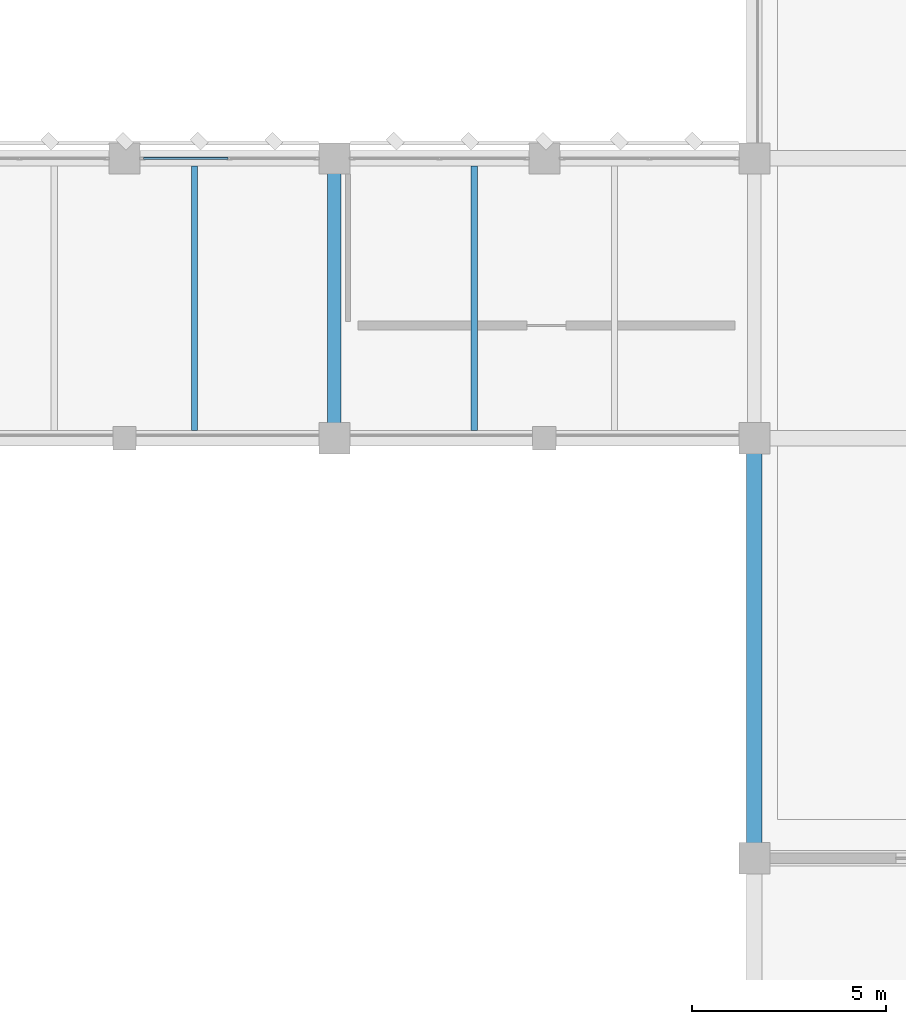
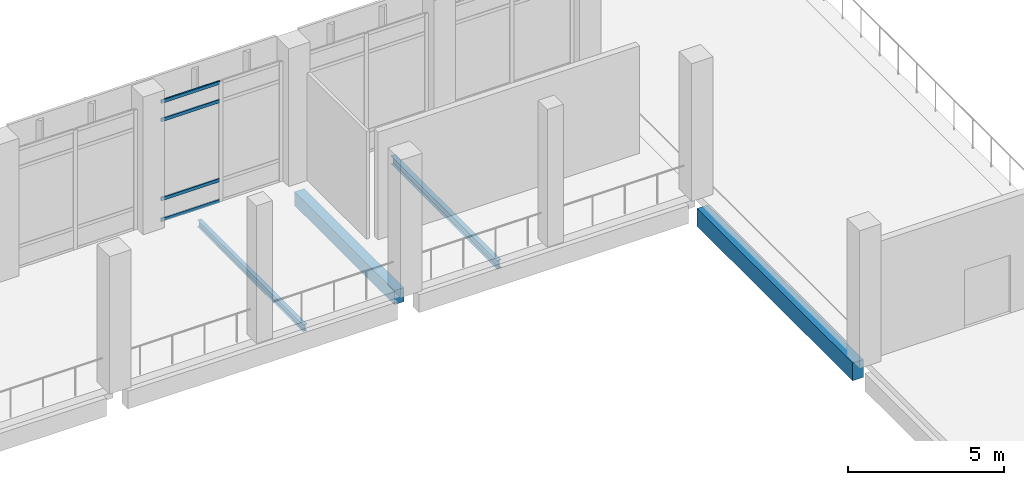
# One storey, part 47 of 180: 4 beams, 4 members, 1 element without a shape of its own.
"""IFC4 building model written with IfcOpenShell, lengths in metres."""

from ifc_helpers import new_model, si_unit, direction, frame, origin, origin_2d, place, context, subcontext, project, spatial, rectangle, hollow_rectangle, i_section, extrude, material, material_profile, profile_set, type_object, element, aggregate, save


model = new_model("IFC4")

# Units and contexts
model_context = context("Model", 3, precision=1e-05, world=origin(), true_north=direction((0.0, 1.0)))
body_context = subcontext(model_context, "Body", "Model", "MODEL_VIEW")
ifc_project = project(units=[si_unit("LENGTHUNIT", "METRE"), si_unit("AREAUNIT", "SQUARE_METRE"), si_unit("VOLUMEUNIT", "CUBIC_METRE"), si_unit("PLANEANGLEUNIT", "RADIAN"), si_unit("MASSUNIT", "GRAM", prefix="KILO")], contexts=[model_context])

# Site, building, storey
site_placement = place(None, origin())
site = spatial("IfcSite", under=ifc_project, at=site_placement, CompositionType="ELEMENT")
building_placement = place(site_placement, origin())
building = spatial("IfcBuilding", under=site, at=building_placement, Name="Lusvemor Sports Hall", CompositionType="ELEMENT")
storey_placement = place(building_placement, frame((0.0, 0.0, 5.39990234375)))
storey = spatial("IfcBuildingStorey", under=building, at=storey_placement, Name="L01", CompositionType="ELEMENT", Elevation=5.39990234375)

# Beam
ifc_material_1 = material(Name="Concrete C40/50", Category="concrete")
ifc_material_profile_1 = material_profile(ifc_material_1, rectangle(XDim=0.35009765625, YDim=0.550048828125, at=origin_2d()), Name="RC350x550")
ifc_profile_set_1 = profile_set([ifc_material_profile_1], Name="Concrete C40/50")
beam_type_1 = type_object("IfcBeamType", Name="BEAM_RC_550", PredefinedType="BEAM", material=ifc_profile_set_1)
beam_1_placement = place(storey_placement, frame((64.800048828125, 39.99609375, -0.554931640625), z_axis=(0.0, 1.0, 0.0), x_axis=(-1.0, 0.0, 0.0)))
element("IfcBeam", 1, at=beam_1_placement, inside=storey, type_object=beam_type_1, Name="Beam L01 7:E-F", PredefinedType="BEAM", context=body_context, shape_type="SweptSolid", body=[
    extrude(rectangle(XDim=0.35009765625, YDim=0.550048828125, at=origin_2d()), origin(), (0.0, 0.0, 1.0), 6.407958984375),
])

# Curtain wall, members
ifc_material_2 = material(Name="Thermally broken bronze-anodized aluminium", Category="aluminium")
curtain_wall_type = type_object("IfcCurtainWallType", Name="CW_COURT_C", PredefinedType="NOTDEFINED", material=ifc_material_2)
curtain_wall_placement = place(storey_placement, origin())
curtain_wall = element("IfcCurtainWall", 2, at=curtain_wall_placement, inside=storey, type_object=curtain_wall_type, Name="Curtain Wall CW-V1N-L01-5-B", PredefinedType="NOTDEFINED")
ifc_material_3 = material(Name="Thermally broken bronze-anodized aluminium", Category="aluminium")
ifc_material_profile_2 = material_profile(ifc_material_3, hollow_rectangle(XDim=0.06005859375, YDim=0.135009765625, WallThickness=0.00390625, InnerFilletRadius=0.00390625, OuterFilletRadius=0.008056640625, at=origin_2d()), Name="CWTRN135x60x4")
ifc_profile_set_2 = profile_set([ifc_material_profile_2], Name="Thermally broken bronze-anodized aluminium")
member_type = type_object("IfcMemberType", Name="CW_TRN_B", PredefinedType="USERDEFINED", material=ifc_profile_set_2)
member_1_placement = place(storey_placement, frame((59.89501953125, 46.800048828125, 0.030029296875), z_axis=(1.0, 0.0, 0.0), x_axis=(0.0, 1.0, 0.0)))
member_1 = element("IfcMember", 3, at=member_1_placement, type_object=member_type, Name="CW03 transom 1.1", ObjectType="TRANSOM", PredefinedType="USERDEFINED", context=body_context, shape_type="SweptSolid", body=[
    extrude(hollow_rectangle(XDim=0.06005859375, YDim=0.135009765625, WallThickness=0.00390625, InnerFilletRadius=0.00390625, OuterFilletRadius=0.008056640625, at=origin_2d()), origin(), (0.0, 0.0, 1.0), 2.17236328125),
])
member_2_placement = place(storey_placement, frame((59.89501953125, 46.800048828125, 0.85009765625), z_axis=(1.0, 0.0, 0.0), x_axis=(0.0, 1.0, 0.0)))
member_2 = element("IfcMember", 4, at=member_2_placement, type_object=member_type, Name="CW03 transom 1.2", ObjectType="TRANSOM", PredefinedType="USERDEFINED", context=body_context, shape_type="SweptSolid", body=[
    extrude(hollow_rectangle(XDim=0.06005859375, YDim=0.135009765625, WallThickness=0.00390625, InnerFilletRadius=0.00390625, OuterFilletRadius=0.008056640625, at=origin_2d()), origin(), (0.0, 0.0, 1.0), 2.17236328125),
])
member_3_placement = place(storey_placement, frame((59.89501953125, 46.800048828125, 3.9501953125), z_axis=(1.0, 0.0, 0.0), x_axis=(0.0, 1.0, 0.0)))
member_3 = element("IfcMember", 5, at=member_3_placement, type_object=member_type, Name="CW03 transom 1.3", ObjectType="TRANSOM", PredefinedType="USERDEFINED", context=body_context, shape_type="SweptSolid", body=[
    extrude(hollow_rectangle(XDim=0.06005859375, YDim=0.135009765625, WallThickness=0.00390625, InnerFilletRadius=0.00390625, OuterFilletRadius=0.008056640625, at=origin_2d()), origin(), (0.0, 0.0, 1.0), 2.17236328125),
])
member_4_placement = place(storey_placement, frame((59.89501953125, 46.800048828125, 4.670166015625), z_axis=(1.0, 0.0, 0.0), x_axis=(0.0, 1.0, 0.0)))
member_4 = element("IfcMember", 6, at=member_4_placement, type_object=member_type, Name="CW03 transom 1.4", ObjectType="TRANSOM", PredefinedType="USERDEFINED", context=body_context, shape_type="SweptSolid", body=[
    extrude(hollow_rectangle(XDim=0.06005859375, YDim=0.135009765625, WallThickness=0.00390625, InnerFilletRadius=0.00390625, OuterFilletRadius=0.008056640625, at=origin_2d()), origin(), (0.0, 0.0, 1.0), 2.17236328125),
])
aggregate(curtain_wall, [member_1, member_2, member_3, member_4])

# Beams
ifc_material_4 = material(Name="Steel S355", Category="steel")
ifc_material_profile_3 = material_profile(ifc_material_4, i_section(OverallWidth=0.14794921875, OverallDepth=0.26611328125, WebThickness=0.007568359375, FlangeThickness=0.012939453125, FilletRadius=0.012939453125, at=origin_2d()), Name="W250x44.8")
ifc_profile_set_3 = profile_set([ifc_material_profile_3], Name="Steel S355")
beam_type_2 = type_object("IfcBeamType", Name="JOIST_ST_250M", PredefinedType="JOIST", material=ifc_profile_set_3)
beam_2_placement = place(storey_placement, frame((61.199951171875, 39.7958984375, -0.4169921875), z_axis=(0.0, 1.0, 0.0), x_axis=(-1.0, 0.0, 0.0)))
element("IfcBeam", 7, at=beam_2_placement, inside=storey, type_object=beam_type_2, Name="Secondary Joist L01 6-7/E-F #2", PredefinedType="JOIST", context=body_context, shape_type="SweptSolid", body=[
    extrude(i_section(OverallWidth=0.14794921875, OverallDepth=0.26611328125, WebThickness=0.007568359375, FlangeThickness=0.012939453125, FilletRadius=0.012939453125, at=origin_2d()), origin(), (0.0, 0.0, 1.0), 6.80810546875),
])
ifc_material_5 = material(Name="Steel S355", Category="steel")
ifc_material_profile_4 = material_profile(ifc_material_5, i_section(OverallWidth=0.1669921875, OverallDepth=0.31689453125, WebThickness=0.007568359375, FlangeThickness=0.01318359375, FilletRadius=0.014892578125, at=origin_2d()), Name="W310x52.0")
ifc_profile_set_4 = profile_set([ifc_material_profile_4], Name="Steel S355")
beam_type_3 = type_object("IfcBeamType", Name="JOIST_ST_310M", PredefinedType="JOIST", material=ifc_profile_set_4)
beam_3_placement = place(storey_placement, frame((68.39990234375, 39.7958984375, -0.4423828125), z_axis=(0.0, 1.0, 0.0), x_axis=(-1.0, 0.0, 0.0)))
element("IfcBeam", 8, at=beam_3_placement, inside=storey, type_object=beam_type_3, Name="Secondary Joist L01 7-8/E-F #1", PredefinedType="JOIST", context=body_context, shape_type="SweptSolid", body=[
    extrude(i_section(OverallWidth=0.1669921875, OverallDepth=0.31689453125, WebThickness=0.007568359375, FlangeThickness=0.01318359375, FilletRadius=0.014892578125, at=origin_2d()), origin(), (0.0, 0.0, 1.0), 6.80810546875),
])
ifc_material_6 = material(Name="Concrete C40/50", Category="concrete")
ifc_material_profile_5 = material_profile(ifc_material_6, rectangle(XDim=0.39990234375, YDim=0.699951171875, at=origin_2d()), Name="RC400x700")
ifc_profile_set_5 = profile_set([ifc_material_profile_5], Name="Concrete C40/50")
beam_type_4 = type_object("IfcBeamType", Name="SPAND_EXT_700", PredefinedType="SPANDREL", material=ifc_profile_set_5)
beam_4_placement = place(storey_placement, frame((75.60009765625, 29.196044921875, -0.68994140625), z_axis=(0.0, 1.0, 0.0), x_axis=(-1.0, 0.0, 0.0)))
element("IfcBeam", 9, at=beam_4_placement, inside=storey, type_object=beam_type_4, Name="Beam L01 8:D-E", PredefinedType="SPANDREL", context=body_context, shape_type="SweptSolid", body=[
    extrude(rectangle(XDim=0.39990234375, YDim=0.699951171875, at=origin_2d()), origin(), (0.0, 0.0, 1.0), 10.008056640625),
])

save(model, "model.ifc")
